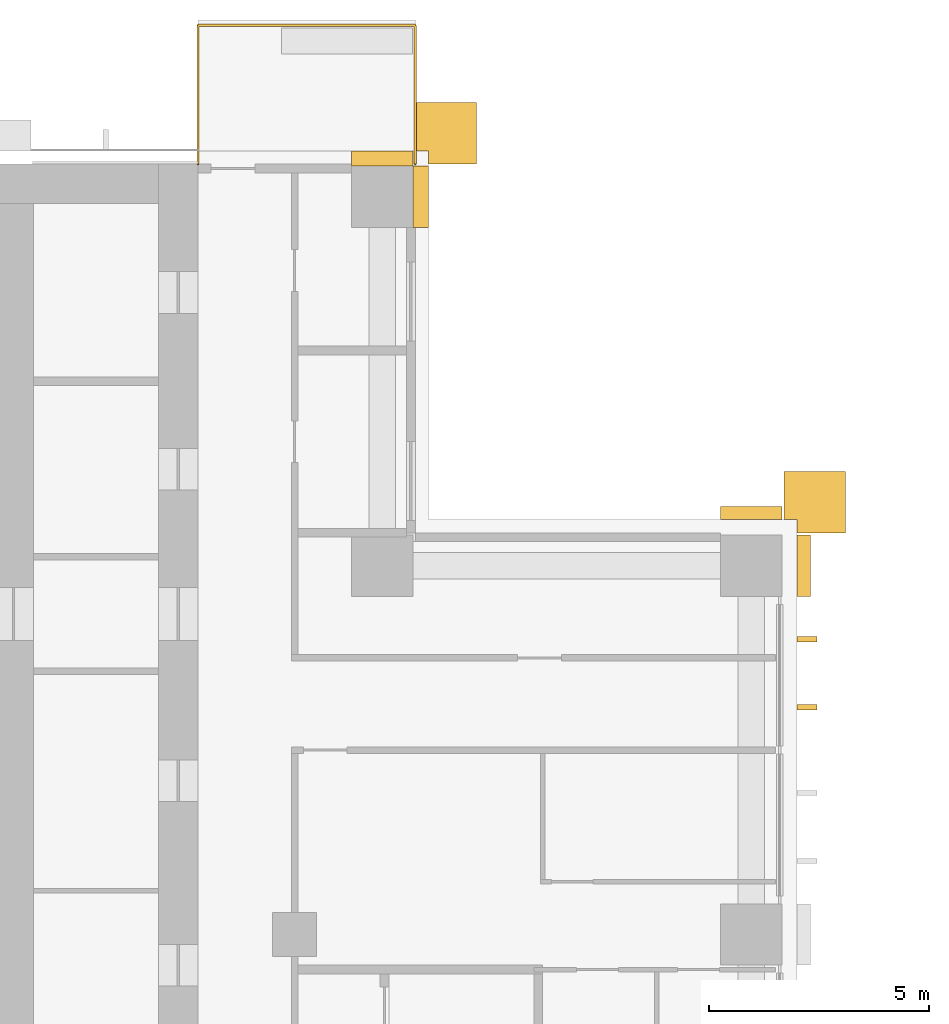
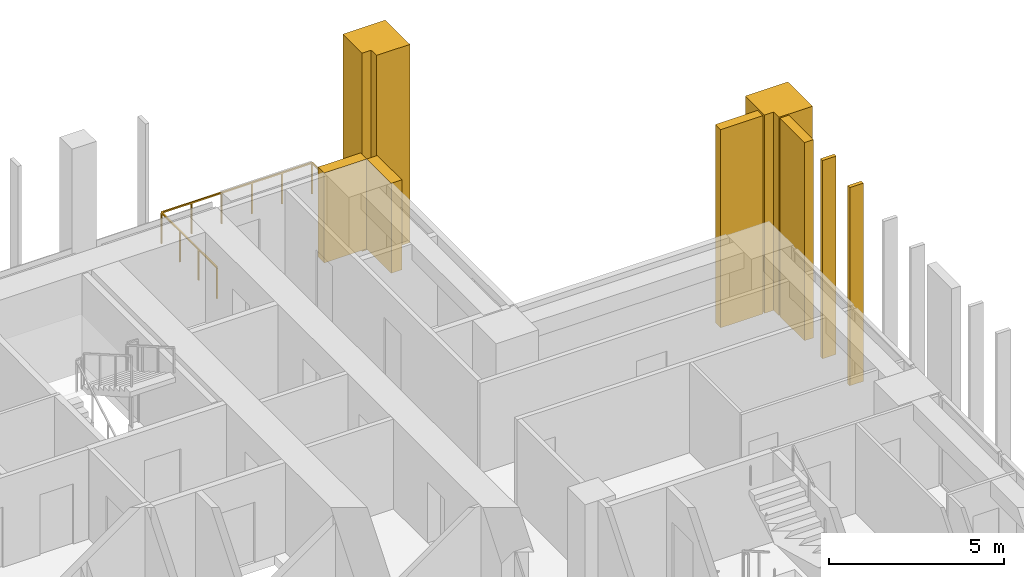
# One storey, part 19 of 19: 8 coverings, 1 railing.
"""IFC4 building model written with IfcOpenShell, lengths in metres."""

from ifc_helpers import new_model, si_unit, direction, frame, origin, origin_2d, place, context, subcontext, project, spatial, polyline, rectangle, outline, extrude, material, layer, layer_set, type_object, element, save


model = new_model("IFC4")

# Units and contexts
model_context = context("Model", 3, precision=1e-05, world=origin(), true_north=direction((0.0, 1.0)))
body_context = subcontext(model_context, "Body", "Model", "MODEL_VIEW")
ifc_project = project(units=[si_unit("LENGTHUNIT", "METRE"), si_unit("AREAUNIT", "SQUARE_METRE"), si_unit("VOLUMEUNIT", "CUBIC_METRE"), si_unit("PLANEANGLEUNIT", "RADIAN"), si_unit("MASSUNIT", "GRAM", prefix="KILO")], contexts=[model_context])

# Site, building, storey
site_placement = place(None, origin())
site = spatial("IfcSite", under=ifc_project, at=site_placement, CompositionType="ELEMENT")
building_placement = place(site_placement, origin())
building = spatial("IfcBuilding", under=site, at=building_placement, Name="Vermilion Ogive Tower", CompositionType="ELEMENT")
storey_placement = place(building_placement, frame((0.0, 0.0, 62.10009765625)))
storey = spatial("IfcBuildingStorey", under=building, at=storey_placement, Name="L14", CompositionType="ELEMENT", Elevation=62.10009765625)

# Railing
ifc_material_1 = material(Name="Stainless steel and glass", Category="steel")
railing_type = type_object("IfcRailingType", Name="Balcony guard", PredefinedType="GUARDRAIL", material=ifc_material_1)
railing_placement = place(storey_placement, frame((17.550048828125, 21.75, -0.0400390625)))
element("IfcRailing", 1, at=railing_placement, inside=storey, type_object=railing_type, Name="Guard N101", PredefinedType="GUARDRAIL", context=body_context, shape_type="SweptSolid", body=[
    extrude(rectangle(XDim=0.048095703125, YDim=0.048095703125, at=origin_2d()), frame((0.0, 0.0, 1.076171875), z_axis=(0.0, 1.0, 0.0), x_axis=(-1.0, 0.0, 0.0)), (0.0, 0.0, 1.0), 3.159912109375),
    extrude(rectangle(XDim=0.048095703125, YDim=0.048095703125, at=origin_2d()), frame((0.0, 3.159912109375, 1.076171875), z_axis=(-1.0, 0.0, 0.0), x_axis=(0.0, -1.0, 0.0)), (0.0, 0.0, 1.0), 4.949951171875),
    extrude(rectangle(XDim=0.048095703125, YDim=0.048095703125, at=origin_2d()), frame((-4.949951171875, 3.159912109375, 1.076171875), z_axis=(0.0, -1.0, 0.0), x_axis=(1.0, 0.0, 0.0)), (0.0, 0.0, 1.0), 3.159912109375),
    extrude(rectangle(XDim=0.0419921875, YDim=0.0419921875, at=origin_2d()), origin(), (0.0, 0.0, 1.0), 1.052001953125),
    extrude(rectangle(XDim=0.0419921875, YDim=0.0419921875, at=origin_2d()), frame((0.0, 1.05322265625, 0.0)), (0.0, 0.0, 1.0), 1.052001953125),
    extrude(rectangle(XDim=0.0419921875, YDim=0.0419921875, at=origin_2d()), frame((0.0, 2.106689453125, 0.0)), (0.0, 0.0, 1.0), 1.052001953125),
    extrude(rectangle(XDim=0.0419921875, YDim=0.0419921875, at=origin_2d()), frame((0.0, 3.159912109375, 0.0)), (0.0, 0.0, 1.0), 1.052001953125),
    extrude(rectangle(XDim=0.0419921875, YDim=0.0419921875, at=origin_2d()), frame((-0.989990234375, 3.159912109375, 0.0)), (0.0, 0.0, 1.0), 1.052001953125),
    extrude(rectangle(XDim=0.0419921875, YDim=0.0419921875, at=origin_2d()), frame((-1.97998046875, 3.159912109375, 0.0)), (0.0, 0.0, 1.0), 1.052001953125),
    extrude(rectangle(XDim=0.0419921875, YDim=0.0419921875, at=origin_2d()), frame((-2.969970703125, 3.159912109375, 0.0)), (0.0, 0.0, 1.0), 1.052001953125),
    extrude(rectangle(XDim=0.0419921875, YDim=0.0419921875, at=origin_2d()), frame((-3.9599609375, 3.159912109375, 0.0)), (0.0, 0.0, 1.0), 1.052001953125),
    extrude(rectangle(XDim=0.0419921875, YDim=0.0419921875, at=origin_2d()), frame((-4.949951171875, 3.159912109375, 0.0)), (0.0, 0.0, 1.0), 1.052001953125),
    extrude(rectangle(XDim=0.0419921875, YDim=0.0419921875, at=origin_2d()), frame((-4.949951171875, 2.106689453125, 0.0)), (0.0, 0.0, 1.0), 1.052001953125),
    extrude(rectangle(XDim=0.0419921875, YDim=0.0419921875, at=origin_2d()), frame((-4.949951171875, 1.05322265625, 0.0)), (0.0, 0.0, 1.0), 1.052001953125),
    extrude(rectangle(XDim=0.0419921875, YDim=0.0419921875, at=origin_2d()), frame((-4.949951171875, 0.0, 0.0)), (0.0, 0.0, 1.0), 1.052001953125),
])

# Coverings
ifc_material_2 = material(Name="Glazed ceramic screen")
ifc_layer = layer(ifc_material_2, 0.14990234375)
ifc_layer_set = layer_set([ifc_layer], Name="Ceramic solar screen fin")
covering_type_1 = type_object("IfcCoveringType", Name="Ceramic solar screen fin", PredefinedType="CLADDING", material=ifc_layer_set)
covering_1_placement = place(storey_placement, frame((0.0, 0.0, -0.320068359375)))
element("IfcCovering", 2, at=covering_1_placement, inside=storey, type_object=covering_type_1, Name="Solar screen blade E021", PredefinedType="CLADDING", context=body_context, shape_type="SweptSolid", body=[
    extrude(outline(polyline([(26.699951171875, 9.31494140625), (26.699951171875, 9.43505859375), (26.25, 9.43505859375), (26.25, 9.31494140625), (26.699951171875, 9.31494140625)])), origin(), (0.0, 0.0, 1.0), 6.89990234375),
])
covering_2_placement = place(storey_placement, frame((0.0, 0.0, -0.320068359375)))
element("IfcCovering", 3, at=covering_2_placement, inside=storey, type_object=covering_type_1, Name="Solar screen blade E022", PredefinedType="CLADDING", context=body_context, shape_type="SweptSolid", body=[
    extrude(outline(polyline([(26.699951171875, 10.864990234375), (26.699951171875, 10.985107421875), (26.25, 10.985107421875), (26.25, 10.864990234375), (26.699951171875, 10.864990234375)])), origin(), (0.0, 0.0, 1.0), 6.89990234375),
])
ifc_material_3 = material(Name="Stone cladding", Category="masonry")
covering_type_2 = type_object("IfcCoveringType", Name="Stone corner buttress", PredefinedType="CLADDING", material=ifc_material_3)
covering_3_placement = place(storey_placement, frame((0.0, 0.0, -0.320068359375)))
element("IfcCovering", 4, at=covering_3_placement, inside=storey, type_object=covering_type_2, Name="Stone corner buttress X31", PredefinedType="CLADDING", context=body_context, shape_type="SweptSolid", body=[
    extrude(outline(polyline([(26.25, 13.35009765625), (26.25, 13.64990234375), (25.949951171875, 13.64990234375), (25.949951171875, 14.75), (27.35009765625, 14.75), (27.35009765625, 13.35009765625), (26.25, 13.35009765625)])), origin(), (0.0, 0.0, 1.0), 6.89990234375),
])
covering_4_placement = place(storey_placement, frame((0.0, 0.0, -0.320068359375)))
element("IfcCovering", 5, at=covering_4_placement, inside=storey, type_object=covering_type_2, Name="Stone corner buttress N11", PredefinedType="CLADDING", context=body_context, shape_type="SweptSolid", body=[
    extrude(outline(polyline([(17.85009765625, 22.050048828125), (17.550048828125, 22.050048828125), (17.550048828125, 23.14990234375), (18.949951171875, 23.14990234375), (18.949951171875, 21.75), (17.85009765625, 21.75), (17.85009765625, 22.050048828125)])), origin(), (0.0, 0.0, 1.0), 6.89990234375),
])
ifc_material_4 = material(Name="Stone cladding", Category="masonry")
covering_type_3 = type_object("IfcCoveringType", Name="Stone pier", PredefinedType="CLADDING", material=ifc_material_4)
covering_5_placement = place(storey_placement, frame((0.0, 0.0, -0.320068359375)))
element("IfcCovering", 6, at=covering_5_placement, inside=storey, type_object=covering_type_3, Name="Stone pier P+0252+126E", PredefinedType="CLADDING", context=body_context, shape_type="SweptSolid", body=[
    extrude(outline(polyline([(26.550048828125, 13.300048828125), (26.550048828125, 11.89990234375), (26.25, 11.89990234375), (26.25, 13.300048828125), (26.550048828125, 13.300048828125)])), origin(), (0.0, 0.0, 1.0), 6.89990234375),
])
covering_6_placement = place(storey_placement, frame((0.0, 0.0, -0.320068359375)))
element("IfcCovering", 7, at=covering_6_placement, inside=storey, type_object=covering_type_3, Name="Stone pier P+0252+126X3", PredefinedType="CLADDING", context=body_context, shape_type="SweptSolid", body=[
    extrude(outline(polyline([(25.89990234375, 13.949951171875), (25.89990234375, 13.64990234375), (24.5, 13.64990234375), (24.5, 13.949951171875), (25.89990234375, 13.949951171875)])), origin(), (0.0, 0.0, 1.0), 6.89990234375),
])
covering_7_placement = place(storey_placement, origin())
element("IfcCovering", 8, at=covering_7_placement, inside=storey, type_object=covering_type_3, Name="Stone pier P+0168+210X4", PredefinedType="CLADDING", context=body_context, shape_type="SweptSolid", body=[
    extrude(outline(polyline([(17.85009765625, 21.699951171875), (17.85009765625, 20.300048828125), (17.5, 20.300048828125), (17.5, 21.699951171875), (17.85009765625, 21.699951171875)])), origin(), (0.0, 0.0, 1.0), 3.1298828125),
])
covering_8_placement = place(storey_placement, origin())
element("IfcCovering", 9, at=covering_8_placement, inside=storey, type_object=covering_type_3, Name="Stone pier P+0168+210N1", PredefinedType="CLADDING", context=body_context, shape_type="SweptSolid", body=[
    extrude(outline(polyline([(17.5, 22.050048828125), (17.5, 21.699951171875), (16.10009765625, 21.699951171875), (16.10009765625, 22.050048828125), (17.5, 22.050048828125)])), origin(), (0.0, 0.0, 1.0), 3.1298828125),
])

save(model, "model.ifc")
